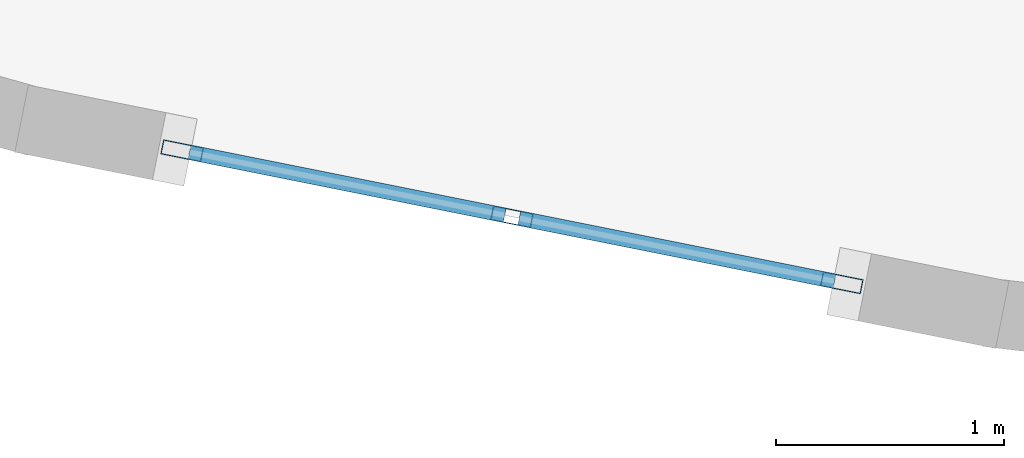
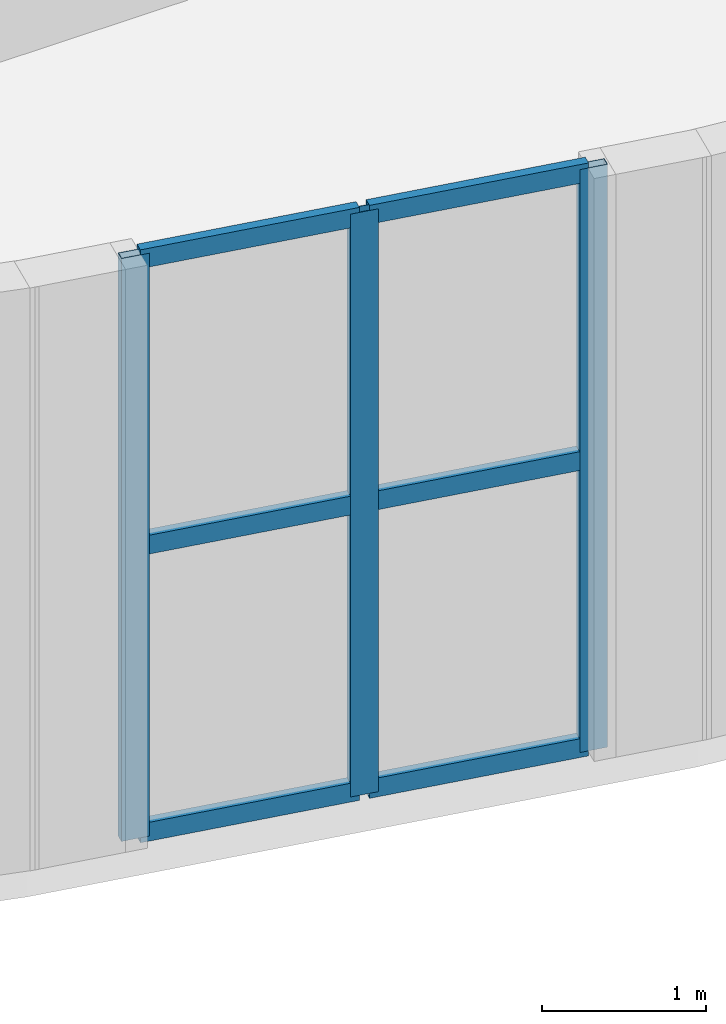
# One storey, part 2 of 17: 9 members, 1 element without a shape of its own.
"""IFC4 building model written with IfcOpenShell, lengths in metres."""

from ifc_helpers import new_model, si_unit, direction, frame, origin, origin_2d, place, context, subcontext, project, spatial, hollow_rectangle, extrude, material, layer, layer_set, material_profile, profile_set, type_object, element, aggregate, save


model = new_model("IFC4")

# Units and contexts
model_context = context("Model", 3, precision=1e-05, world=origin(), true_north=direction((0.0, 1.0)))
body_context = subcontext(model_context, "Body", "Model", "MODEL_VIEW")
ifc_project = project(units=[si_unit("LENGTHUNIT", "METRE"), si_unit("AREAUNIT", "SQUARE_METRE"), si_unit("VOLUMEUNIT", "CUBIC_METRE"), si_unit("PLANEANGLEUNIT", "RADIAN"), si_unit("MASSUNIT", "GRAM", prefix="KILO")], contexts=[model_context])

# Site, building, storey
site_placement = place(None, origin())
site = spatial("IfcSite", under=ifc_project, at=site_placement, CompositionType="ELEMENT")
building_placement = place(site_placement, origin())
building = spatial("IfcBuilding", under=site, at=building_placement, Name="Miruveldt Soraemaru", CompositionType="ELEMENT")
storey_placement = place(building_placement, frame((0.0, 0.0, 95.800048828125)))
storey = spatial("IfcBuildingStorey", under=building, at=storey_placement, Name="L26", CompositionType="ELEMENT", Elevation=95.800048828125)

# Curtain wall, members
ifc_material = material(Name="Anodised aluminium EN AW-6063 T6", Category="aluminium")
ifc_layer = layer(ifc_material, 0.179931640625, Name="Anodised aluminium EN AW-6063 T6", Category="aluminium")
ifc_layer_set = layer_set([ifc_layer], Name="Anodised aluminium EN AW-6063 T6")
curtain_wall_type = type_object("IfcCurtainWallType", Name="CW-SYS-4", PredefinedType="USERDEFINED", material=ifc_layer_set)
curtain_wall_placement = place(storey_placement, origin())
curtain_wall = element("IfcCurtainWall", 1, at=curtain_wall_placement, inside=storey, type_object=curtain_wall_type, Name="L26 Curtain Wall Bay 22", ObjectType="UNITISED GLAZING", PredefinedType="USERDEFINED")
ifc_material_profile_1 = material_profile(ifc_material, hollow_rectangle(XDim=0.06494140625, YDim=0.179931640625, WallThickness=0.00390625, at=origin_2d()), Name="Anodised aluminium EN AW-6063 T6", Category="aluminium")
ifc_profile_set_1 = profile_set([ifc_material_profile_1], Name="Anodised aluminium EN AW-6063 T6")
member_type_1 = type_object("IfcMemberType", Name="CWM-4", PredefinedType="MULLION", material=ifc_profile_set_1)
member_1_placement = place(storey_placement, frame((31.982666015625, 25.796630859375, 0.0), z_axis=(0.0, 0.0, 1.0), x_axis=(0.196116135138, 0.980580675691, 0.0)))
member_1 = element("IfcMember", 2, at=member_1_placement, type_object=member_type_1, Name="CW-4 mullion 1", PredefinedType="MULLION", context=body_context, shape_type="SweptSolid", body=[
    extrude(hollow_rectangle(XDim=0.06494140625, YDim=0.179931640625, WallThickness=0.00390625, at=origin_2d()), origin(), (0.0, 0.0, 1.0), 4.3349609375),
])
member_2_placement = place(storey_placement, frame((33.427978515625, 25.507568359375, 0.0), z_axis=(0.0, 0.0, 1.0), x_axis=(0.196116135138, 0.980580675691, 0.0)))
member_2 = element("IfcMember", 3, at=member_2_placement, type_object=member_type_1, Name="CW-4 mullion 2", PredefinedType="MULLION", context=body_context, shape_type="SweptSolid", body=[
    extrude(hollow_rectangle(XDim=0.06494140625, YDim=0.179931640625, WallThickness=0.00390625, at=origin_2d()), origin(), (0.0, 0.0, 1.0), 4.3349609375),
])
member_3_placement = place(storey_placement, frame((34.87353515625, 25.218505859375, 0.0), z_axis=(0.0, 0.0, 1.0), x_axis=(0.196116135138, 0.980580675691, 0.0)))
member_3 = element("IfcMember", 4, at=member_3_placement, type_object=member_type_1, Name="CW-4 mullion 3", PredefinedType="MULLION", context=body_context, shape_type="SweptSolid", body=[
    extrude(hollow_rectangle(XDim=0.06494140625, YDim=0.179931640625, WallThickness=0.00390625, at=origin_2d()), origin(), (0.0, 0.0, 1.0), 4.3349609375),
])
ifc_material_profile_2 = material_profile(ifc_material, hollow_rectangle(XDim=0.06494140625, YDim=0.139892578125, WallThickness=0.00390625, at=origin_2d()), Name="Anodised aluminium EN AW-6063 T6", Category="aluminium")
ifc_profile_set_2 = profile_set([ifc_material_profile_2], Name="Anodised aluminium EN AW-6063 T6")
member_type_2 = type_object("IfcMemberType", Name="CWT-4", PredefinedType="USERDEFINED", material=ifc_profile_set_2)
member_4_placement = place(storey_placement, frame((32.0146484375, 25.790283203125, 0.032470703125), z_axis=(0.980574010628, -0.196149457507, 0.0), x_axis=(0.196149457507, 0.980574010628, 0.0)))
member_4 = element("IfcMember", 5, at=member_4_placement, type_object=member_type_2, Name="CW-4 transom 1.1", ObjectType="TRANSOM", PredefinedType="USERDEFINED", context=body_context, shape_type="SweptSolid", body=[
    extrude(hollow_rectangle(XDim=0.06494140625, YDim=0.139892578125, WallThickness=0.00390625, at=origin_2d()), origin(), (0.0, 0.0, 1.0), 1.408935546875),
])
member_5_placement = place(storey_placement, frame((32.0146484375, 25.790283203125, 2.16748046875), z_axis=(0.980574010628, -0.196149457507, 0.0), x_axis=(0.196149457507, 0.980574010628, 0.0)))
member_5 = element("IfcMember", 6, at=member_5_placement, type_object=member_type_2, Name="CW-4 transom 1.2", ObjectType="TRANSOM", PredefinedType="USERDEFINED", context=body_context, shape_type="SweptSolid", body=[
    extrude(hollow_rectangle(XDim=0.06494140625, YDim=0.139892578125, WallThickness=0.00390625, at=origin_2d()), origin(), (0.0, 0.0, 1.0), 1.408935546875),
])
member_6_placement = place(storey_placement, frame((32.0146484375, 25.790283203125, 4.302490234375), z_axis=(0.980574010628, -0.196149457507, 0.0), x_axis=(0.196149457507, 0.980574010628, 0.0)))
member_6 = element("IfcMember", 7, at=member_6_placement, type_object=member_type_2, Name="CW-4 transom 1.3", ObjectType="TRANSOM", PredefinedType="USERDEFINED", context=body_context, shape_type="SweptSolid", body=[
    extrude(hollow_rectangle(XDim=0.06494140625, YDim=0.139892578125, WallThickness=0.00390625, at=origin_2d()), origin(), (0.0, 0.0, 1.0), 1.408935546875),
])
member_7_placement = place(storey_placement, frame((33.4599609375, 25.501220703125, 0.032470703125), z_axis=(0.980574010628, -0.196149457507, 0.0), x_axis=(0.196149457507, 0.980574010628, 0.0)))
member_7 = element("IfcMember", 8, at=member_7_placement, type_object=member_type_2, Name="CW-4 transom 2.1", ObjectType="TRANSOM", PredefinedType="USERDEFINED", context=body_context, shape_type="SweptSolid", body=[
    extrude(hollow_rectangle(XDim=0.06494140625, YDim=0.139892578125, WallThickness=0.00390625, at=origin_2d()), origin(), (0.0, 0.0, 1.0), 1.408935546875),
])
member_8_placement = place(storey_placement, frame((33.4599609375, 25.501220703125, 2.16748046875), z_axis=(0.980574010628, -0.196149457507, 0.0), x_axis=(0.196149457507, 0.980574010628, 0.0)))
member_8 = element("IfcMember", 9, at=member_8_placement, type_object=member_type_2, Name="CW-4 transom 2.2", ObjectType="TRANSOM", PredefinedType="USERDEFINED", context=body_context, shape_type="SweptSolid", body=[
    extrude(hollow_rectangle(XDim=0.06494140625, YDim=0.139892578125, WallThickness=0.00390625, at=origin_2d()), origin(), (0.0, 0.0, 1.0), 1.408935546875),
])
member_9_placement = place(storey_placement, frame((33.4599609375, 25.501220703125, 4.302490234375), z_axis=(0.980574010628, -0.196149457507, 0.0), x_axis=(0.196149457507, 0.980574010628, 0.0)))
member_9 = element("IfcMember", 10, at=member_9_placement, type_object=member_type_2, Name="CW-4 transom 2.3", ObjectType="TRANSOM", PredefinedType="USERDEFINED", context=body_context, shape_type="SweptSolid", body=[
    extrude(hollow_rectangle(XDim=0.06494140625, YDim=0.139892578125, WallThickness=0.00390625, at=origin_2d()), origin(), (0.0, 0.0, 1.0), 1.408935546875),
])
aggregate(curtain_wall, [member_1, member_2, member_3, member_4, member_5, member_6, member_7, member_8, member_9])

save(model, "model.ifc")
